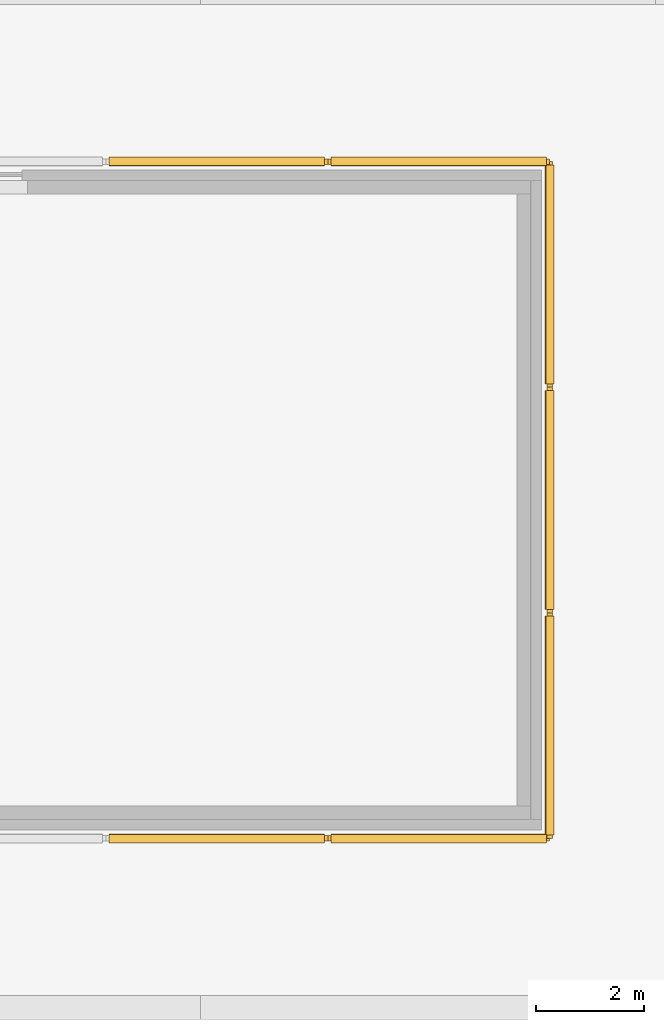
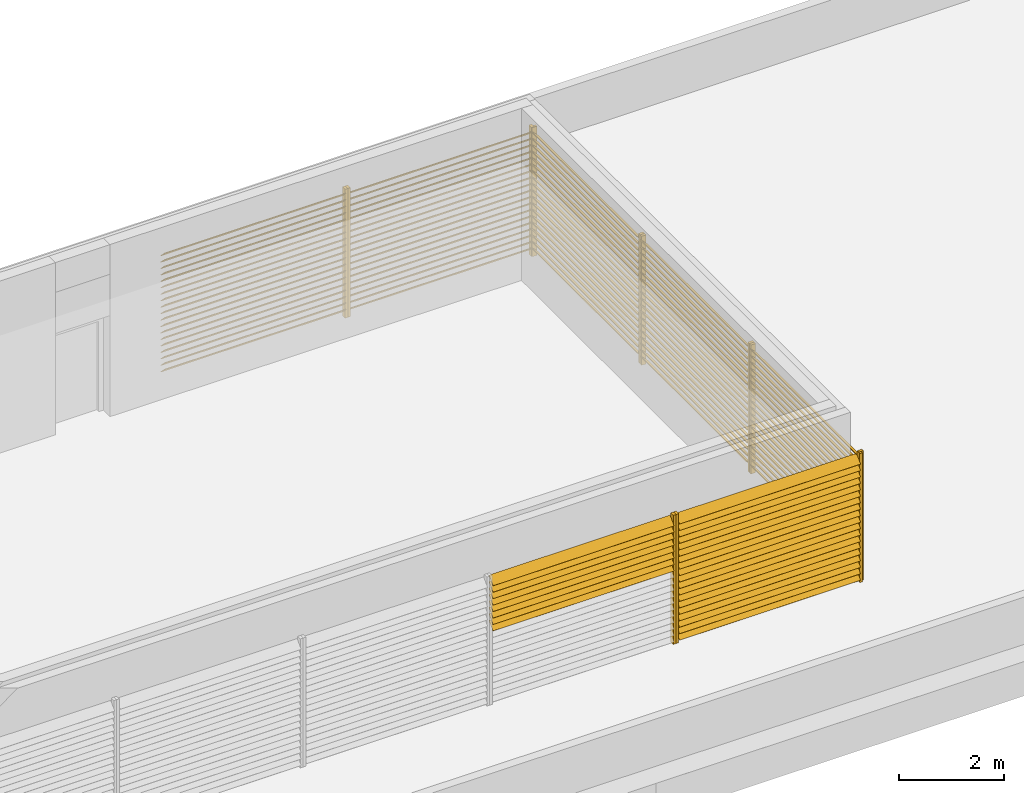
# One storey, part 6 of 13: 134 shading devices.
"""IFC4 building model written with IfcOpenShell, lengths in metres."""

from ifc_helpers import new_model, si_unit, direction, frame, origin, origin_2d, place, context, subcontext, project, spatial, rectangle, extrude, material, material_profile, profile_set, type_object, element, save


model = new_model("IFC4")

# Units and contexts
model_context = context("Model", 3, precision=1e-05, world=origin(), true_north=direction((0.0, 1.0)))
body_context = subcontext(model_context, "Body", "Model", "MODEL_VIEW")
ifc_project = project(units=[si_unit("LENGTHUNIT", "METRE"), si_unit("AREAUNIT", "SQUARE_METRE"), si_unit("VOLUMEUNIT", "CUBIC_METRE"), si_unit("PLANEANGLEUNIT", "RADIAN"), si_unit("MASSUNIT", "GRAM", prefix="KILO")], contexts=[model_context])

# Site, building, storey
site_placement = place(None, origin())
site = spatial("IfcSite", under=ifc_project, at=site_placement, CompositionType="ELEMENT")
building_placement = place(site_placement, origin())
building = spatial("IfcBuilding", under=site, at=building_placement, Name="Bougainvillea Quay General Hospital", CompositionType="ELEMENT")
storey_placement = place(building_placement, frame((0.0, 0.0, 36.60009765625)))
storey = spatial("IfcBuildingStorey", under=building, at=storey_placement, Name="L08", CompositionType="ELEMENT", Elevation=36.60009765625)

# Shading devices
ifc_material_1 = material(Name="Extruded aluminium louvre frame, powder-coated grey", Category="aluminium")
ifc_material_profile_1 = material_profile(ifc_material_1, rectangle(XDim=0.10009765625, YDim=0.06005859375, at=origin_2d()))
ifc_profile_set_1 = profile_set([ifc_material_profile_1], Name="Extruded aluminium louvre frame, powder-coated grey")
shading_device_type_1 = type_object("IfcShadingDeviceType", Name="Louvre frame post 100x60", PredefinedType="JALOUSIE", material=ifc_profile_set_1)
for number, where, z_axis, x_axis, name in (
    (1, (61.1201171875, 143.75, 0.02978515625), (0.0, 0.0, 1.0), (0.0, 1.0, 0.0), "Louvre post V03.2"),
    (2, (61.179931640625, 143.75, 0.02978515625), (0.0, 0.0, 1.0), (0.0, 1.0, 0.0), "Louvre post V04.1"),
    (3, (65.219970703125, 143.75, 0.02978515625), (0.0, 0.0, 1.0), (0.0, 1.0, 0.0), "Louvre post V04.2"),
    (4, (65.25, 143.780029296875, 0.02978515625), (0.0, 0.0, 1.0), (-1.0, 0.0, 0.0), "Louvre post V00.1"),
    (5, (65.25, 147.88671875, 0.02978515625), (0.0, 0.0, 1.0), (-1.0, 0.0, 0.0), "Louvre post V00.2"),
    (6, (65.25, 147.94677734375, 0.02978515625), (0.0, 0.0, 1.0), (-1.0, 0.0, 0.0), "Louvre post V01.1"),
    (7, (65.25, 152.05322265625, 0.02978515625), (0.0, 0.0, 1.0), (-1.0, 0.0, 0.0), "Louvre post V01.2"),
    (8, (65.25, 152.11328125, 0.02978515625), (0.0, 0.0, 1.0), (-1.0, 0.0, 0.0), "Louvre post V02.1"),
    (9, (65.25, 156.219970703125, 0.02978515625), (0.0, 0.0, 1.0), (-1.0, 0.0, 0.0), "Louvre post V02.2"),
    (10, (65.219970703125, 156.25, 0.02978515625), (0.0, 0.0, 1.0), (0.0, -1.0, 0.0), "Louvre post V00.1"),
    (11, (61.179931640625, 156.25, 0.02978515625), (0.0, 0.0, 1.0), (0.0, -1.0, 0.0), "Louvre post V00.2"),
    (12, (61.1201171875, 156.25, 0.02978515625), (0.0, 0.0, 1.0), (0.0, -1.0, 0.0), "Louvre post V01.1"),
):
    element("IfcShadingDevice", number, at=place(storey_placement, frame(where, z_axis=z_axis, x_axis=x_axis)), inside=storey, type_object=shading_device_type_1, Name=name, PredefinedType="JALOUSIE", context=body_context, shape_type="SweptSolid", body=[
        extrude(rectangle(XDim=0.10009765625, YDim=0.06005859375, at=origin_2d()), origin(), (0.0, 0.0, 1.0), 3.0),
    ])
ifc_material_2 = material(Name="Extruded aluminium storm louvre blade, powder-coated grey", Category="aluminium")
ifc_material_profile_2 = material_profile(ifc_material_2, rectangle(XDim=0.219970703125, YDim=0.014892578125, at=origin_2d()))
ifc_profile_set_2 = profile_set([ifc_material_profile_2], Name="Extruded aluminium storm louvre blade, powder-coated grey")
shading_device_type_2 = type_object("IfcShadingDeviceType", Name="Storm louvre blade 220", PredefinedType="JALOUSIE", material=ifc_profile_set_2)
for number, where, z_axis, x_axis, name in (
    (13, (57.110107421875, 143.75, 1.829833984375), (1.0, 0.0, 0.0), (0.0, 0.707106781187, 0.707106781187), "Storm louvre blade V03.12"),
    (14, (57.110107421875, 143.75, 1.97998046875), (1.0, 0.0, 0.0), (0.0, 0.707106781187, 0.707106781187), "Storm louvre blade V03.13"),
    (15, (57.110107421875, 143.75, 2.1298828125), (1.0, 0.0, 0.0), (0.0, 0.707106781187, 0.707106781187), "Storm louvre blade V03.14"),
    (16, (57.110107421875, 143.75, 2.27978515625), (1.0, 0.0, 0.0), (0.0, 0.707106781187, 0.707106781187), "Storm louvre blade V03.15"),
    (17, (57.110107421875, 143.75, 2.429931640625), (1.0, 0.0, 0.0), (0.0, 0.707106781187, 0.707106781187), "Storm louvre blade V03.16"),
    (18, (57.110107421875, 143.75, 2.579833984375), (1.0, 0.0, 0.0), (0.0, 0.707106781187, 0.707106781187), "Storm louvre blade V03.17"),
    (19, (57.110107421875, 143.75, 2.72998046875), (1.0, 0.0, 0.0), (0.0, 0.707106781187, 0.707106781187), "Storm louvre blade V03.18"),
    (20, (57.110107421875, 143.75, 2.8798828125), (1.0, 0.0, 0.0), (0.0, 0.707106781187, 0.707106781187), "Storm louvre blade V03.19"),
    (21, (61.2099609375, 143.75, 0.179931640625), (1.0, 0.0, 0.0), (0.0, 0.707106781187, 0.707106781187), "Storm louvre blade V04.1"),
    (22, (61.2099609375, 143.75, 0.329833984375), (1.0, 0.0, 0.0), (0.0, 0.707106781187, 0.707106781187), "Storm louvre blade V04.2"),
    (23, (61.2099609375, 143.75, 0.47998046875), (1.0, 0.0, 0.0), (0.0, 0.707106781187, 0.707106781187), "Storm louvre blade V04.3"),
    (24, (61.2099609375, 143.75, 0.6298828125), (1.0, 0.0, 0.0), (0.0, 0.707106781187, 0.707106781187), "Storm louvre blade V04.4"),
    (25, (61.2099609375, 143.75, 0.77978515625), (1.0, 0.0, 0.0), (0.0, 0.707106781187, 0.707106781187), "Storm louvre blade V04.5"),
    (26, (61.2099609375, 143.75, 0.929931640625), (1.0, 0.0, 0.0), (0.0, 0.707106781187, 0.707106781187), "Storm louvre blade V04.6"),
    (27, (61.2099609375, 143.75, 1.079833984375), (1.0, 0.0, 0.0), (0.0, 0.707106781187, 0.707106781187), "Storm louvre blade V04.7"),
    (28, (61.2099609375, 143.75, 1.22998046875), (1.0, 0.0, 0.0), (0.0, 0.707106781187, 0.707106781187), "Storm louvre blade V04.8"),
    (29, (61.2099609375, 143.75, 1.3798828125), (1.0, 0.0, 0.0), (0.0, 0.707106781187, 0.707106781187), "Storm louvre blade V04.9"),
    (30, (61.2099609375, 143.75, 1.52978515625), (1.0, 0.0, 0.0), (0.0, 0.707106781187, 0.707106781187), "Storm louvre blade V04.10"),
    (31, (61.2099609375, 143.75, 1.679931640625), (1.0, 0.0, 0.0), (0.0, 0.707106781187, 0.707106781187), "Storm louvre blade V04.11"),
    (32, (61.2099609375, 143.75, 1.829833984375), (1.0, 0.0, 0.0), (0.0, 0.707106781187, 0.707106781187), "Storm louvre blade V04.12"),
    (33, (61.2099609375, 143.75, 1.97998046875), (1.0, 0.0, 0.0), (0.0, 0.707106781187, 0.707106781187), "Storm louvre blade V04.13"),
    (34, (61.2099609375, 143.75, 2.1298828125), (1.0, 0.0, 0.0), (0.0, 0.707106781187, 0.707106781187), "Storm louvre blade V04.14"),
    (35, (61.2099609375, 143.75, 2.27978515625), (1.0, 0.0, 0.0), (0.0, 0.707106781187, 0.707106781187), "Storm louvre blade V04.15"),
    (36, (61.2099609375, 143.75, 2.429931640625), (1.0, 0.0, 0.0), (0.0, 0.707106781187, 0.707106781187), "Storm louvre blade V04.16"),
    (37, (61.2099609375, 143.75, 2.579833984375), (1.0, 0.0, 0.0), (0.0, 0.707106781187, 0.707106781187), "Storm louvre blade V04.17"),
    (38, (61.2099609375, 143.75, 2.72998046875), (1.0, 0.0, 0.0), (0.0, 0.707106781187, 0.707106781187), "Storm louvre blade V04.18"),
    (39, (61.2099609375, 143.75, 2.8798828125), (1.0, 0.0, 0.0), (0.0, 0.707106781187, 0.707106781187), "Storm louvre blade V04.19"),
):
    element("IfcShadingDevice", number, at=place(storey_placement, frame(where, z_axis=z_axis, x_axis=x_axis)), inside=storey, type_object=shading_device_type_2, Name=name, PredefinedType="JALOUSIE", context=body_context, shape_type="SweptSolid", body=[
        extrude(rectangle(XDim=0.219970703125, YDim=0.014892578125, at=origin_2d()), origin(), (0.0, 0.0, 1.0), 3.97998046875),
    ])
for number, where, z_axis, x_axis, name in (
    (40, (65.25, 143.81005859375, 0.179931640625), (0.0, 1.0, 0.0), (-0.707106781187, 0.0, 0.707106781187), "Storm louvre blade V00.1"),
    (41, (65.25, 143.81005859375, 0.329833984375), (0.0, 1.0, 0.0), (-0.707106781187, 0.0, 0.707106781187), "Storm louvre blade V00.2"),
    (42, (65.25, 143.81005859375, 0.47998046875), (0.0, 1.0, 0.0), (-0.707106781187, 0.0, 0.707106781187), "Storm louvre blade V00.3"),
    (43, (65.25, 143.81005859375, 0.6298828125), (0.0, 1.0, 0.0), (-0.707106781187, 0.0, 0.707106781187), "Storm louvre blade V00.4"),
    (44, (65.25, 143.81005859375, 0.77978515625), (0.0, 1.0, 0.0), (-0.707106781187, 0.0, 0.707106781187), "Storm louvre blade V00.5"),
    (45, (65.25, 143.81005859375, 0.929931640625), (0.0, 1.0, 0.0), (-0.707106781187, 0.0, 0.707106781187), "Storm louvre blade V00.6"),
    (46, (65.25, 143.81005859375, 1.079833984375), (0.0, 1.0, 0.0), (-0.707106781187, 0.0, 0.707106781187), "Storm louvre blade V00.7"),
    (47, (65.25, 143.81005859375, 1.22998046875), (0.0, 1.0, 0.0), (-0.707106781187, 0.0, 0.707106781187), "Storm louvre blade V00.8"),
    (48, (65.25, 143.81005859375, 1.3798828125), (0.0, 1.0, 0.0), (-0.707106781187, 0.0, 0.707106781187), "Storm louvre blade V00.9"),
    (49, (65.25, 143.81005859375, 1.52978515625), (0.0, 1.0, 0.0), (-0.707106781187, 0.0, 0.707106781187), "Storm louvre blade V00.10"),
    (50, (65.25, 143.81005859375, 1.679931640625), (0.0, 1.0, 0.0), (-0.707106781187, 0.0, 0.707106781187), "Storm louvre blade V00.11"),
    (51, (65.25, 143.81005859375, 1.829833984375), (0.0, 1.0, 0.0), (-0.707106781187, 0.0, 0.707106781187), "Storm louvre blade V00.12"),
    (52, (65.25, 143.81005859375, 1.97998046875), (0.0, 1.0, 0.0), (-0.707106781187, 0.0, 0.707106781187), "Storm louvre blade V00.13"),
    (53, (65.25, 143.81005859375, 2.1298828125), (0.0, 1.0, 0.0), (-0.707106781187, 0.0, 0.707106781187), "Storm louvre blade V00.14"),
    (54, (65.25, 143.81005859375, 2.27978515625), (0.0, 1.0, 0.0), (-0.707106781187, 0.0, 0.707106781187), "Storm louvre blade V00.15"),
    (55, (65.25, 143.81005859375, 2.429931640625), (0.0, 1.0, 0.0), (-0.707106781187, 0.0, 0.707106781187), "Storm louvre blade V00.16"),
    (56, (65.25, 143.81005859375, 2.579833984375), (0.0, 1.0, 0.0), (-0.707106781187, 0.0, 0.707106781187), "Storm louvre blade V00.17"),
    (57, (65.25, 143.81005859375, 2.72998046875), (0.0, 1.0, 0.0), (-0.707106781187, 0.0, 0.707106781187), "Storm louvre blade V00.18"),
    (58, (65.25, 143.81005859375, 2.8798828125), (0.0, 1.0, 0.0), (-0.707106781187, 0.0, 0.707106781187), "Storm louvre blade V00.19"),
):
    element("IfcShadingDevice", number, at=place(storey_placement, frame(where, z_axis=z_axis, x_axis=x_axis)), inside=storey, type_object=shading_device_type_2, Name=name, PredefinedType="JALOUSIE", context=body_context, shape_type="SweptSolid", body=[
        extrude(rectangle(XDim=0.219970703125, YDim=0.014892578125, at=origin_2d()), origin(), (0.0, 0.0, 1.0), 4.046630859375),
    ])
for number, where, z_axis, x_axis, name in (
    (59, (65.25, 147.9765625, 0.179931640625), (0.0, 1.0, 0.0), (-0.707106781187, 0.0, 0.707106781187), "Storm louvre blade V01.1"),
    (60, (65.25, 147.9765625, 0.329833984375), (0.0, 1.0, 0.0), (-0.707106781187, 0.0, 0.707106781187), "Storm louvre blade V01.2"),
    (61, (65.25, 147.9765625, 0.47998046875), (0.0, 1.0, 0.0), (-0.707106781187, 0.0, 0.707106781187), "Storm louvre blade V01.3"),
    (62, (65.25, 147.9765625, 0.6298828125), (0.0, 1.0, 0.0), (-0.707106781187, 0.0, 0.707106781187), "Storm louvre blade V01.4"),
    (63, (65.25, 147.9765625, 0.77978515625), (0.0, 1.0, 0.0), (-0.707106781187, 0.0, 0.707106781187), "Storm louvre blade V01.5"),
    (64, (65.25, 147.9765625, 0.929931640625), (0.0, 1.0, 0.0), (-0.707106781187, 0.0, 0.707106781187), "Storm louvre blade V01.6"),
    (65, (65.25, 147.9765625, 1.079833984375), (0.0, 1.0, 0.0), (-0.707106781187, 0.0, 0.707106781187), "Storm louvre blade V01.7"),
    (66, (65.25, 147.9765625, 1.22998046875), (0.0, 1.0, 0.0), (-0.707106781187, 0.0, 0.707106781187), "Storm louvre blade V01.8"),
    (67, (65.25, 147.9765625, 1.3798828125), (0.0, 1.0, 0.0), (-0.707106781187, 0.0, 0.707106781187), "Storm louvre blade V01.9"),
    (68, (65.25, 147.9765625, 1.52978515625), (0.0, 1.0, 0.0), (-0.707106781187, 0.0, 0.707106781187), "Storm louvre blade V01.10"),
    (69, (65.25, 147.9765625, 1.679931640625), (0.0, 1.0, 0.0), (-0.707106781187, 0.0, 0.707106781187), "Storm louvre blade V01.11"),
    (70, (65.25, 147.9765625, 1.829833984375), (0.0, 1.0, 0.0), (-0.707106781187, 0.0, 0.707106781187), "Storm louvre blade V01.12"),
    (71, (65.25, 147.9765625, 1.97998046875), (0.0, 1.0, 0.0), (-0.707106781187, 0.0, 0.707106781187), "Storm louvre blade V01.13"),
    (72, (65.25, 147.9765625, 2.1298828125), (0.0, 1.0, 0.0), (-0.707106781187, 0.0, 0.707106781187), "Storm louvre blade V01.14"),
    (73, (65.25, 147.9765625, 2.27978515625), (0.0, 1.0, 0.0), (-0.707106781187, 0.0, 0.707106781187), "Storm louvre blade V01.15"),
    (74, (65.25, 147.9765625, 2.429931640625), (0.0, 1.0, 0.0), (-0.707106781187, 0.0, 0.707106781187), "Storm louvre blade V01.16"),
    (75, (65.25, 147.9765625, 2.579833984375), (0.0, 1.0, 0.0), (-0.707106781187, 0.0, 0.707106781187), "Storm louvre blade V01.17"),
    (76, (65.25, 147.9765625, 2.72998046875), (0.0, 1.0, 0.0), (-0.707106781187, 0.0, 0.707106781187), "Storm louvre blade V01.18"),
    (77, (65.25, 147.9765625, 2.8798828125), (0.0, 1.0, 0.0), (-0.707106781187, 0.0, 0.707106781187), "Storm louvre blade V01.19"),
):
    element("IfcShadingDevice", number, at=place(storey_placement, frame(where, z_axis=z_axis, x_axis=x_axis)), inside=storey, type_object=shading_device_type_2, Name=name, PredefinedType="JALOUSIE", context=body_context, shape_type="SweptSolid", body=[
        extrude(rectangle(XDim=0.219970703125, YDim=0.014892578125, at=origin_2d()), origin(), (0.0, 0.0, 1.0), 4.046875),
    ])
for number, where, z_axis, x_axis, name in (
    (78, (65.25, 152.143310546875, 0.179931640625), (0.0, 1.0, 0.0), (-0.707106781187, 0.0, 0.707106781187), "Storm louvre blade V02.1"),
    (79, (65.25, 152.143310546875, 0.329833984375), (0.0, 1.0, 0.0), (-0.707106781187, 0.0, 0.707106781187), "Storm louvre blade V02.2"),
    (80, (65.25, 152.143310546875, 0.47998046875), (0.0, 1.0, 0.0), (-0.707106781187, 0.0, 0.707106781187), "Storm louvre blade V02.3"),
    (81, (65.25, 152.143310546875, 0.6298828125), (0.0, 1.0, 0.0), (-0.707106781187, 0.0, 0.707106781187), "Storm louvre blade V02.4"),
    (82, (65.25, 152.143310546875, 0.77978515625), (0.0, 1.0, 0.0), (-0.707106781187, 0.0, 0.707106781187), "Storm louvre blade V02.5"),
    (83, (65.25, 152.143310546875, 0.929931640625), (0.0, 1.0, 0.0), (-0.707106781187, 0.0, 0.707106781187), "Storm louvre blade V02.6"),
    (84, (65.25, 152.143310546875, 1.079833984375), (0.0, 1.0, 0.0), (-0.707106781187, 0.0, 0.707106781187), "Storm louvre blade V02.7"),
    (85, (65.25, 152.143310546875, 1.22998046875), (0.0, 1.0, 0.0), (-0.707106781187, 0.0, 0.707106781187), "Storm louvre blade V02.8"),
    (86, (65.25, 152.143310546875, 1.3798828125), (0.0, 1.0, 0.0), (-0.707106781187, 0.0, 0.707106781187), "Storm louvre blade V02.9"),
    (87, (65.25, 152.143310546875, 1.52978515625), (0.0, 1.0, 0.0), (-0.707106781187, 0.0, 0.707106781187), "Storm louvre blade V02.10"),
    (88, (65.25, 152.143310546875, 1.679931640625), (0.0, 1.0, 0.0), (-0.707106781187, 0.0, 0.707106781187), "Storm louvre blade V02.11"),
    (89, (65.25, 152.143310546875, 1.829833984375), (0.0, 1.0, 0.0), (-0.707106781187, 0.0, 0.707106781187), "Storm louvre blade V02.12"),
    (90, (65.25, 152.143310546875, 1.97998046875), (0.0, 1.0, 0.0), (-0.707106781187, 0.0, 0.707106781187), "Storm louvre blade V02.13"),
    (91, (65.25, 152.143310546875, 2.1298828125), (0.0, 1.0, 0.0), (-0.707106781187, 0.0, 0.707106781187), "Storm louvre blade V02.14"),
    (92, (65.25, 152.143310546875, 2.27978515625), (0.0, 1.0, 0.0), (-0.707106781187, 0.0, 0.707106781187), "Storm louvre blade V02.15"),
    (93, (65.25, 152.143310546875, 2.429931640625), (0.0, 1.0, 0.0), (-0.707106781187, 0.0, 0.707106781187), "Storm louvre blade V02.16"),
    (94, (65.25, 152.143310546875, 2.579833984375), (0.0, 1.0, 0.0), (-0.707106781187, 0.0, 0.707106781187), "Storm louvre blade V02.17"),
    (95, (65.25, 152.143310546875, 2.72998046875), (0.0, 1.0, 0.0), (-0.707106781187, 0.0, 0.707106781187), "Storm louvre blade V02.18"),
    (96, (65.25, 152.143310546875, 2.8798828125), (0.0, 1.0, 0.0), (-0.707106781187, 0.0, 0.707106781187), "Storm louvre blade V02.19"),
):
    element("IfcShadingDevice", number, at=place(storey_placement, frame(where, z_axis=z_axis, x_axis=x_axis)), inside=storey, type_object=shading_device_type_2, Name=name, PredefinedType="JALOUSIE", context=body_context, shape_type="SweptSolid", body=[
        extrude(rectangle(XDim=0.219970703125, YDim=0.014892578125, at=origin_2d()), origin(), (0.0, 0.0, 1.0), 4.046630859375),
    ])
for number, where, z_axis, x_axis, name in (
    (97, (65.18994140625, 156.25, 0.179931640625), (-1.0, 0.0, 0.0), (0.0, -0.707106781187, 0.707106781187), "Storm louvre blade V00.1"),
    (98, (65.18994140625, 156.25, 0.329833984375), (-1.0, 0.0, 0.0), (0.0, -0.707106781187, 0.707106781187), "Storm louvre blade V00.2"),
    (99, (65.18994140625, 156.25, 0.47998046875), (-1.0, 0.0, 0.0), (0.0, -0.707106781187, 0.707106781187), "Storm louvre blade V00.3"),
    (100, (65.18994140625, 156.25, 0.6298828125), (-1.0, 0.0, 0.0), (0.0, -0.707106781187, 0.707106781187), "Storm louvre blade V00.4"),
    (101, (65.18994140625, 156.25, 0.77978515625), (-1.0, 0.0, 0.0), (0.0, -0.707106781187, 0.707106781187), "Storm louvre blade V00.5"),
    (102, (65.18994140625, 156.25, 0.929931640625), (-1.0, 0.0, 0.0), (0.0, -0.707106781187, 0.707106781187), "Storm louvre blade V00.6"),
    (103, (65.18994140625, 156.25, 1.079833984375), (-1.0, 0.0, 0.0), (0.0, -0.707106781187, 0.707106781187), "Storm louvre blade V00.7"),
    (104, (65.18994140625, 156.25, 1.22998046875), (-1.0, 0.0, 0.0), (0.0, -0.707106781187, 0.707106781187), "Storm louvre blade V00.8"),
    (105, (65.18994140625, 156.25, 1.3798828125), (-1.0, 0.0, 0.0), (0.0, -0.707106781187, 0.707106781187), "Storm louvre blade V00.9"),
    (106, (65.18994140625, 156.25, 1.52978515625), (-1.0, 0.0, 0.0), (0.0, -0.707106781187, 0.707106781187), "Storm louvre blade V00.10"),
    (107, (65.18994140625, 156.25, 1.679931640625), (-1.0, 0.0, 0.0), (0.0, -0.707106781187, 0.707106781187), "Storm louvre blade V00.11"),
    (108, (65.18994140625, 156.25, 1.829833984375), (-1.0, 0.0, 0.0), (0.0, -0.707106781187, 0.707106781187), "Storm louvre blade V00.12"),
    (109, (65.18994140625, 156.25, 1.97998046875), (-1.0, 0.0, 0.0), (0.0, -0.707106781187, 0.707106781187), "Storm louvre blade V00.13"),
    (110, (65.18994140625, 156.25, 2.1298828125), (-1.0, 0.0, 0.0), (0.0, -0.707106781187, 0.707106781187), "Storm louvre blade V00.14"),
    (111, (65.18994140625, 156.25, 2.27978515625), (-1.0, 0.0, 0.0), (0.0, -0.707106781187, 0.707106781187), "Storm louvre blade V00.15"),
    (112, (65.18994140625, 156.25, 2.429931640625), (-1.0, 0.0, 0.0), (0.0, -0.707106781187, 0.707106781187), "Storm louvre blade V00.16"),
    (113, (65.18994140625, 156.25, 2.579833984375), (-1.0, 0.0, 0.0), (0.0, -0.707106781187, 0.707106781187), "Storm louvre blade V00.17"),
    (114, (65.18994140625, 156.25, 2.72998046875), (-1.0, 0.0, 0.0), (0.0, -0.707106781187, 0.707106781187), "Storm louvre blade V00.18"),
    (115, (65.18994140625, 156.25, 2.8798828125), (-1.0, 0.0, 0.0), (0.0, -0.707106781187, 0.707106781187), "Storm louvre blade V00.19"),
    (116, (61.090087890625, 156.25, 0.179931640625), (-1.0, 0.0, 0.0), (0.0, -0.707106781187, 0.707106781187), "Storm louvre blade V01.1"),
    (117, (61.090087890625, 156.25, 0.329833984375), (-1.0, 0.0, 0.0), (0.0, -0.707106781187, 0.707106781187), "Storm louvre blade V01.2"),
    (118, (61.090087890625, 156.25, 0.47998046875), (-1.0, 0.0, 0.0), (0.0, -0.707106781187, 0.707106781187), "Storm louvre blade V01.3"),
    (119, (61.090087890625, 156.25, 0.6298828125), (-1.0, 0.0, 0.0), (0.0, -0.707106781187, 0.707106781187), "Storm louvre blade V01.4"),
    (120, (61.090087890625, 156.25, 0.77978515625), (-1.0, 0.0, 0.0), (0.0, -0.707106781187, 0.707106781187), "Storm louvre blade V01.5"),
    (121, (61.090087890625, 156.25, 0.929931640625), (-1.0, 0.0, 0.0), (0.0, -0.707106781187, 0.707106781187), "Storm louvre blade V01.6"),
    (122, (61.090087890625, 156.25, 1.079833984375), (-1.0, 0.0, 0.0), (0.0, -0.707106781187, 0.707106781187), "Storm louvre blade V01.7"),
    (123, (61.090087890625, 156.25, 1.22998046875), (-1.0, 0.0, 0.0), (0.0, -0.707106781187, 0.707106781187), "Storm louvre blade V01.8"),
    (124, (61.090087890625, 156.25, 1.3798828125), (-1.0, 0.0, 0.0), (0.0, -0.707106781187, 0.707106781187), "Storm louvre blade V01.9"),
    (125, (61.090087890625, 156.25, 1.52978515625), (-1.0, 0.0, 0.0), (0.0, -0.707106781187, 0.707106781187), "Storm louvre blade V01.10"),
    (126, (61.090087890625, 156.25, 1.679931640625), (-1.0, 0.0, 0.0), (0.0, -0.707106781187, 0.707106781187), "Storm louvre blade V01.11"),
    (127, (61.090087890625, 156.25, 1.829833984375), (-1.0, 0.0, 0.0), (0.0, -0.707106781187, 0.707106781187), "Storm louvre blade V01.12"),
    (128, (61.090087890625, 156.25, 1.97998046875), (-1.0, 0.0, 0.0), (0.0, -0.707106781187, 0.707106781187), "Storm louvre blade V01.13"),
    (129, (61.090087890625, 156.25, 2.1298828125), (-1.0, 0.0, 0.0), (0.0, -0.707106781187, 0.707106781187), "Storm louvre blade V01.14"),
    (130, (61.090087890625, 156.25, 2.27978515625), (-1.0, 0.0, 0.0), (0.0, -0.707106781187, 0.707106781187), "Storm louvre blade V01.15"),
    (131, (61.090087890625, 156.25, 2.429931640625), (-1.0, 0.0, 0.0), (0.0, -0.707106781187, 0.707106781187), "Storm louvre blade V01.16"),
    (132, (61.090087890625, 156.25, 2.579833984375), (-1.0, 0.0, 0.0), (0.0, -0.707106781187, 0.707106781187), "Storm louvre blade V01.17"),
    (133, (61.090087890625, 156.25, 2.72998046875), (-1.0, 0.0, 0.0), (0.0, -0.707106781187, 0.707106781187), "Storm louvre blade V01.18"),
    (134, (61.090087890625, 156.25, 2.8798828125), (-1.0, 0.0, 0.0), (0.0, -0.707106781187, 0.707106781187), "Storm louvre blade V01.19"),
):
    element("IfcShadingDevice", number, at=place(storey_placement, frame(where, z_axis=z_axis, x_axis=x_axis)), inside=storey, type_object=shading_device_type_2, Name=name, PredefinedType="JALOUSIE", context=body_context, shape_type="SweptSolid", body=[
        extrude(rectangle(XDim=0.219970703125, YDim=0.014892578125, at=origin_2d()), origin(), (0.0, 0.0, 1.0), 3.97998046875),
    ])

save(model, "model.ifc")
